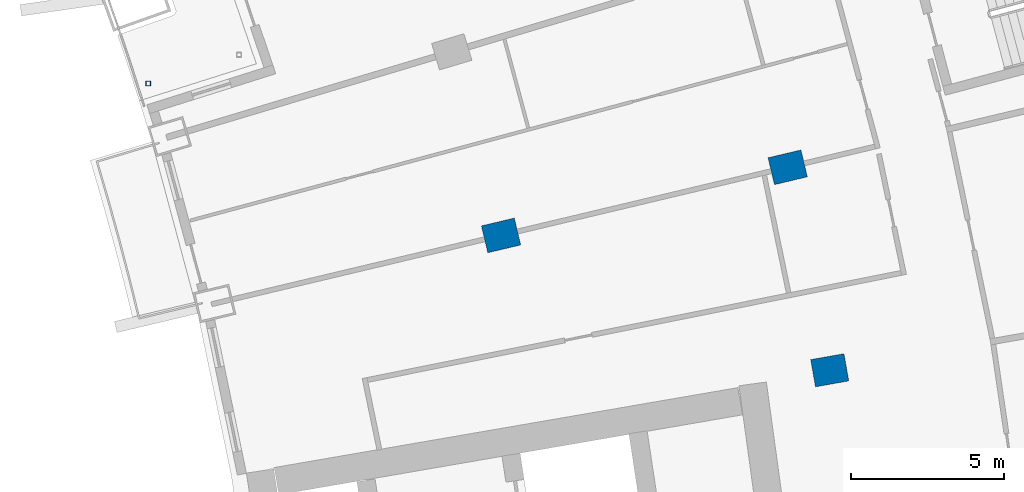
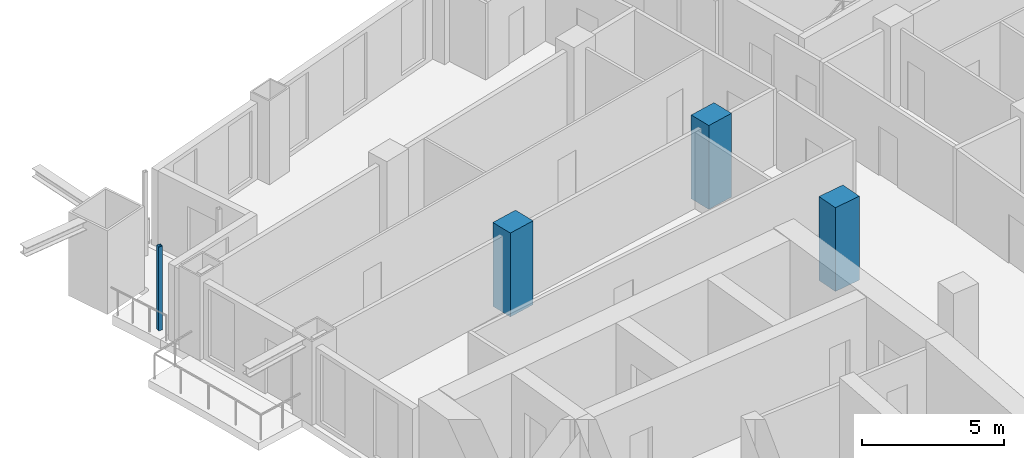
# One storey, part 6 of 23: 4 columns.
"""IFC4 building model written with IfcOpenShell, lengths in metres."""

from ifc_helpers import new_model, si_unit, direction, frame, origin, origin_2d, place, context, subcontext, project, spatial, rectangle, hollow_rectangle, extrude, material, material_profile, profile_set, type_object, element, save


model = new_model("IFC4")

# Units and contexts
model_context = context("Model", 3, precision=1e-05, world=origin(), true_north=direction((0.0, 1.0)))
body_context = subcontext(model_context, "Body", "Model", "MODEL_VIEW")
ifc_project = project(units=[si_unit("LENGTHUNIT", "METRE"), si_unit("AREAUNIT", "SQUARE_METRE"), si_unit("VOLUMEUNIT", "CUBIC_METRE"), si_unit("PLANEANGLEUNIT", "RADIAN"), si_unit("MASSUNIT", "GRAM", prefix="KILO")], contexts=[model_context])

# Site, building, storey
site_placement = place(None, origin())
site = spatial("IfcSite", under=ifc_project, at=site_placement, CompositionType="ELEMENT")
building_placement = place(site_placement, origin())
building = spatial("IfcBuilding", under=site, at=building_placement, Name="Alderwake Tower", CompositionType="ELEMENT")
storey_placement = place(building_placement, frame((0.0, 0.0, 71.60009765625)))
storey = spatial("IfcBuildingStorey", under=building, at=storey_placement, Name="L17", CompositionType="ELEMENT", Elevation=71.60009765625)

# Columns
ifc_material_1 = material(Name="Concrete C70/85", Category="concrete")
ifc_material_profile_1 = material_profile(ifc_material_1, rectangle(XDim=0.89990234375, YDim=1.10009765625, at=origin_2d()), Name="RC 1100X900")
ifc_profile_set_1 = profile_set([ifc_material_profile_1], Name="Concrete C70/85")
column_type_1 = type_object("IfcColumnType", Name="Interior column Z1", PredefinedType="COLUMN", material=ifc_profile_set_1)
for number, where, z_axis, x_axis, name in (
    (1, (34.03125, 81.16162109375, 0.0), (0.0, 0.0, 1.0), (-0.174108800747, 0.984726421654, 0.0), "Column R10-C2"),
    (2, (23.322021484375, 85.555908203125, 0.0), (0.0, 0.0, 1.0), (-0.231221547198, 0.972901123502, 0.0), "Column R11-C1"),
    (3, (32.661865234375, 87.775390625, 0.0), (0.0, 0.0, 1.0), (-0.231221547198, 0.972901123502, 0.0), "Column R11-C2"),
):
    element("IfcColumn", number, at=place(storey_placement, frame(where, z_axis=z_axis, x_axis=x_axis)), inside=storey, type_object=column_type_1, Name=name, PredefinedType="COLUMN", context=body_context, shape_type="SweptSolid", body=[
        extrude(rectangle(XDim=0.89990234375, YDim=1.10009765625, at=origin_2d()), origin(), (0.0, 0.0, 1.0), 3.599853515625),
    ])
ifc_material_2 = material(Name="Steel ASTM A500 Grade C", Category="steel")
ifc_material_profile_2 = material_profile(ifc_material_2, hollow_rectangle(XDim=0.15234375, YDim=0.15234375, WallThickness=0.0087890625, at=origin_2d()), Name="HSS6X6X3/8")
ifc_profile_set_2 = profile_set([ifc_material_profile_2], Name="Steel ASTM A500 Grade C")
column_type_2 = type_object("IfcColumnType", Name="Light post HSS6X6X3/8", PredefinedType="COLUMN", material=ifc_profile_set_2)
column_placement = place(storey_placement, frame((11.82568359375, 90.507080078125, 0.0), z_axis=(0.0, 0.0, 1.0), x_axis=(1.0, 0.0, 0.0)))
element("IfcColumn", 4, at=column_placement, inside=storey, type_object=column_type_2, Name="Terrace post RN1", PredefinedType="COLUMN", context=body_context, shape_type="SweptSolid", body=[
    extrude(hollow_rectangle(XDim=0.15234375, YDim=0.15234375, WallThickness=0.0087890625, at=origin_2d()), origin(), (0.0, 0.0, 1.0), 3.599853515625),
])

save(model, "model.ifc")
